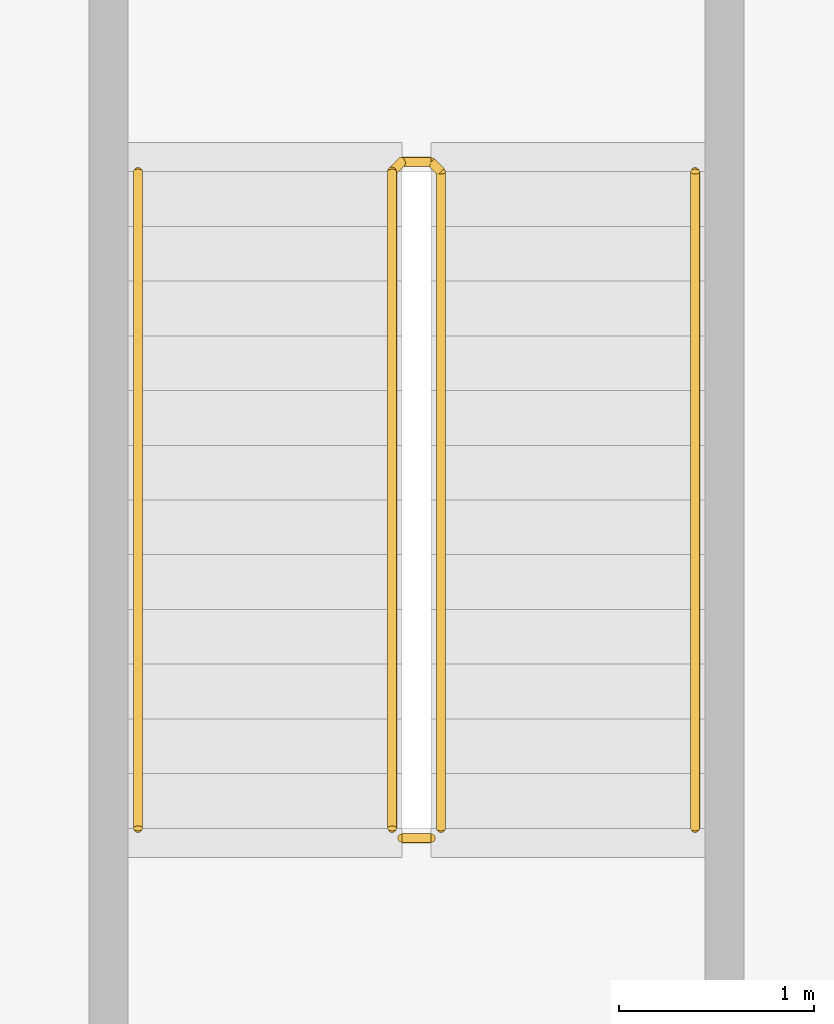
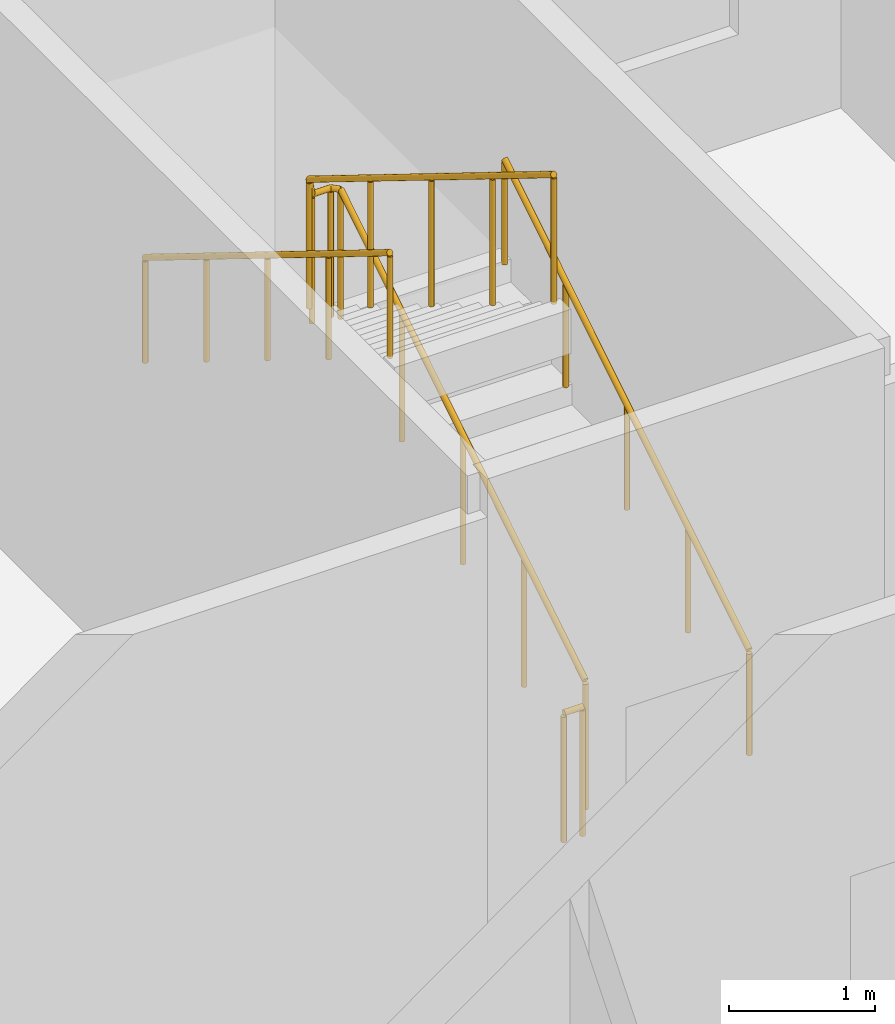
# One storey, part 47 of 47: 4 railings.
"""IFC4 building model written with IfcOpenShell, lengths in metres."""

from ifc_helpers import new_model, si_unit, direction, frame, origin, origin_2d, place, context, subcontext, project, spatial, circle, extrude, material, type_object, element, save


model = new_model("IFC4")

# Units and contexts
model_context = context("Model", 3, precision=1e-05, world=origin(), true_north=direction((0.0, 1.0)))
body_context = subcontext(model_context, "Body", "Model", "MODEL_VIEW")
ifc_project = project(units=[si_unit("LENGTHUNIT", "METRE"), si_unit("AREAUNIT", "SQUARE_METRE"), si_unit("VOLUMEUNIT", "CUBIC_METRE"), si_unit("PLANEANGLEUNIT", "RADIAN"), si_unit("MASSUNIT", "GRAM", prefix="KILO")], contexts=[model_context])

# Site, building, storey
site_placement = place(None, origin())
site = spatial("IfcSite", under=ifc_project, at=site_placement, CompositionType="ELEMENT")
building_placement = place(site_placement, origin())
building = spatial("IfcBuilding", under=site, at=building_placement, Name="Kheshtan School and Residences Tower", CompositionType="ELEMENT")
storey_placement = place(building_placement, frame((0.0, 0.0, 17.0)))
storey = spatial("IfcBuildingStorey", under=building, at=storey_placement, Name="L03", CompositionType="ELEMENT", Elevation=17.0)

# Railings
ifc_material_1 = material(Name="Stainless steel balustrade", Category="steel")
railing_type_1 = type_object("IfcRailingType", Name="Stair guard 1100", PredefinedType="GUARDRAIL", material=ifc_material_1)
railing_1_placement = place(storey_placement, frame((117.699951171875, 103.10009765625, 0.173095703125)))
element("IfcRailing", 1, at=railing_1_placement, inside=storey, type_object=railing_type_1, Name="L03 PS-116-102 stair guard 1", PredefinedType="GUARDRAIL", context=body_context, shape_type="SweptSolid", body=[
    extrude(circle(Radius=0.02392578125, at=origin_2d()), frame((0.0, 0.0, 1.076171875), z_axis=(0.0, 0.850606129759, 0.525803396734), x_axis=(-1.0, 0.0, 0.0)), (0.0, 0.0, 1.0), 3.949951171875),
    extrude(circle(Radius=0.02392578125, at=origin_2d()), frame((0.0, 3.35986328125, 3.15283203125), z_axis=(-0.707106781187, 0.707106781187, 0.0), x_axis=(-0.707106781187, -0.707106781187, 0.0)), (0.0, 0.0, 1.0), 0.07080078125),
    extrude(circle(Radius=0.02392578125, at=origin_2d()), frame((-0.050048828125, 3.409912109375, 3.15283203125), z_axis=(-1.0, 0.0, 0.0), x_axis=(0.0, -1.0, 0.0)), (0.0, 0.0, 1.0), 0.14990234375),
    extrude(circle(Radius=0.02392578125, at=origin_2d()), frame((-0.199951171875, 3.409912109375, 3.15283203125), z_axis=(-0.267629722418, -0.267629722418, 0.925607186314), x_axis=(0.707106781187, -0.707106781187, 0.0)), (0.0, 0.0, 1.0), 0.18701171875),
    extrude(circle(Radius=0.02392578125, at=origin_2d()), frame((-0.25, 3.35986328125, 3.326171875), z_axis=(0.0, -0.850606129759, 0.525803396734), x_axis=(1.0, 0.0, 0.0)), (0.0, 0.0, 1.0), 3.949951171875),
    extrude(circle(Radius=0.02099609375, at=origin_2d()), origin(), (0.0, 0.0, 1.0), 1.052001953125),
    extrude(circle(Radius=0.02099609375, at=origin_2d()), frame((0.0, 0.83984375, 0.519287109375)), (0.0, 0.0, 1.0), 1.052001953125),
    extrude(circle(Radius=0.02099609375, at=origin_2d()), frame((0.0, 1.679931640625, 1.03857421875)), (0.0, 0.0, 1.0), 1.052001953125),
    extrude(circle(Radius=0.02099609375, at=origin_2d()), frame((0.0, 2.52001953125, 1.5576171875)), (0.0, 0.0, 1.0), 1.052001953125),
    extrude(circle(Radius=0.02099609375, at=origin_2d()), frame((0.0, 3.35986328125, 2.076904296875)), (0.0, 0.0, 1.0), 1.052001953125),
    extrude(circle(Radius=0.02099609375, at=origin_2d()), frame((-0.050048828125, 3.409912109375, 2.076904296875)), (0.0, 0.0, 1.0), 1.052001953125),
    extrude(circle(Radius=0.02099609375, at=origin_2d()), frame((-0.199951171875, 3.409912109375, 2.076904296875)), (0.0, 0.0, 1.0), 1.052001953125),
    extrude(circle(Radius=0.02099609375, at=origin_2d()), frame((-0.25, 3.35986328125, 2.25)), (0.0, 0.0, 1.0), 1.052001953125),
    extrude(circle(Radius=0.02099609375, at=origin_2d()), frame((-0.25, 2.52001953125, 2.769287109375)), (0.0, 0.0, 1.0), 1.052001953125),
    extrude(circle(Radius=0.02099609375, at=origin_2d()), frame((-0.25, 1.679931640625, 3.28857421875)), (0.0, 0.0, 1.0), 1.052001953125),
    extrude(circle(Radius=0.02099609375, at=origin_2d()), frame((-0.25, 0.83984375, 3.8076171875)), (0.0, 0.0, 1.0), 1.052001953125),
    extrude(circle(Radius=0.02099609375, at=origin_2d()), frame((-0.25, 0.0, 4.326904296875)), (0.0, 0.0, 1.0), 1.052001953125),
])
railing_2_placement = place(storey_placement, frame((117.64990234375, 103.050048828125, 0.0)))
element("IfcRailing", 2, at=railing_2_placement, inside=storey, type_object=railing_type_1, Name="L03 PS-116-102 stair guard 2", PredefinedType="GUARDRAIL", context=body_context, shape_type="SweptSolid", body=[
    extrude(circle(Radius=0.02392578125, at=origin_2d()), frame((0.0, 0.0, 1.076171875), z_axis=(-1.0, 0.0, 0.0), x_axis=(0.0, -1.0, 0.0)), (0.0, 0.0, 1.0), 0.14990234375),
    extrude(circle(Radius=0.02099609375, at=origin_2d()), origin(), (0.0, 0.0, 1.0), 1.052001953125),
    extrude(circle(Radius=0.02099609375, at=origin_2d()), frame((-0.14990234375, 0.0, 0.0)), (0.0, 0.0, 1.0), 1.052001953125),
])
ifc_material_2 = material(Name="Stainless steel handrail", Category="steel")
railing_type_2 = type_object("IfcRailingType", Name="Stair handrail 900", PredefinedType="HANDRAIL", material=ifc_material_2)
railing_3_placement = place(storey_placement, frame((119.0, 103.10009765625, 0.173095703125)))
element("IfcRailing", 3, at=railing_3_placement, inside=storey, type_object=railing_type_2, Name="L03 PS-116-102 stair handrail 1", PredefinedType="HANDRAIL", context=body_context, shape_type="SweptSolid", body=[
    extrude(circle(Radius=0.02392578125, at=origin_2d()), frame((0.0, 0.0, 0.8759765625), z_axis=(0.0, 0.850606129759, 0.525803396734), x_axis=(-1.0, 0.0, 0.0)), (0.0, 0.0, 1.0), 3.949951171875),
    extrude(circle(Radius=0.02099609375, at=origin_2d()), origin(), (0.0, 0.0, 1.0), 0.851806640625),
    extrude(circle(Radius=0.02099609375, at=origin_2d()), frame((0.0, 0.83984375, 0.519287109375)), (0.0, 0.0, 1.0), 0.851806640625),
    extrude(circle(Radius=0.02099609375, at=origin_2d()), frame((0.0, 1.679931640625, 1.03857421875)), (0.0, 0.0, 1.0), 0.851806640625),
    extrude(circle(Radius=0.02099609375, at=origin_2d()), frame((0.0, 2.52001953125, 1.5576171875)), (0.0, 0.0, 1.0), 0.851806640625),
    extrude(circle(Radius=0.02099609375, at=origin_2d()), frame((0.0, 3.35986328125, 2.076904296875)), (0.0, 0.0, 1.0), 0.851806640625),
])
railing_4_placement = place(storey_placement, frame((116.14990234375, 106.4599609375, 2.423095703125)))
element("IfcRailing", 4, at=railing_4_placement, inside=storey, type_object=railing_type_2, Name="L03 PS-116-102 stair handrail 2", PredefinedType="HANDRAIL", context=body_context, shape_type="SweptSolid", body=[
    extrude(circle(Radius=0.02392578125, at=origin_2d()), frame((0.0, 0.0, 0.8759765625), z_axis=(0.0, -0.850606129759, 0.525803396734), x_axis=(1.0, 0.0, 0.0)), (0.0, 0.0, 1.0), 3.949951171875),
    extrude(circle(Radius=0.02099609375, at=origin_2d()), origin(), (0.0, 0.0, 1.0), 0.851806640625),
    extrude(circle(Radius=0.02099609375, at=origin_2d()), frame((0.0, -0.83984375, 0.519287109375)), (0.0, 0.0, 1.0), 0.851806640625),
    extrude(circle(Radius=0.02099609375, at=origin_2d()), frame((0.0, -1.679931640625, 1.03857421875)), (0.0, 0.0, 1.0), 0.851806640625),
    extrude(circle(Radius=0.02099609375, at=origin_2d()), frame((0.0, -2.52001953125, 1.5576171875)), (0.0, 0.0, 1.0), 0.851806640625),
    extrude(circle(Radius=0.02099609375, at=origin_2d()), frame((0.0, -3.35986328125, 2.076904296875)), (0.0, 0.0, 1.0), 0.851806640625),
])

save(model, "model.ifc")
